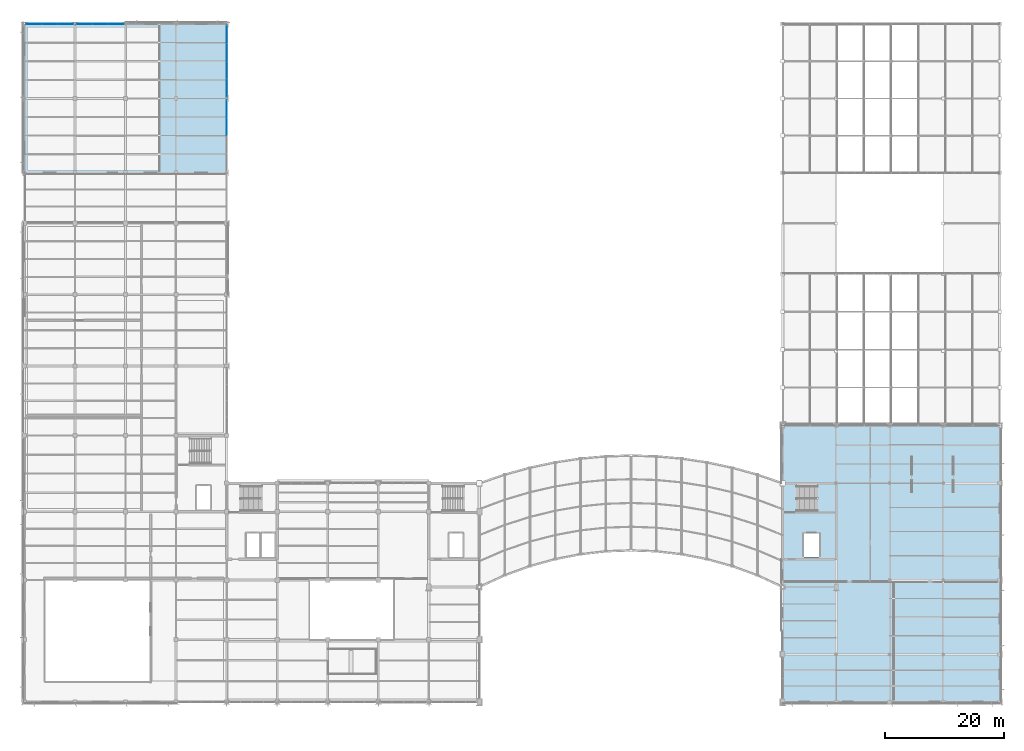
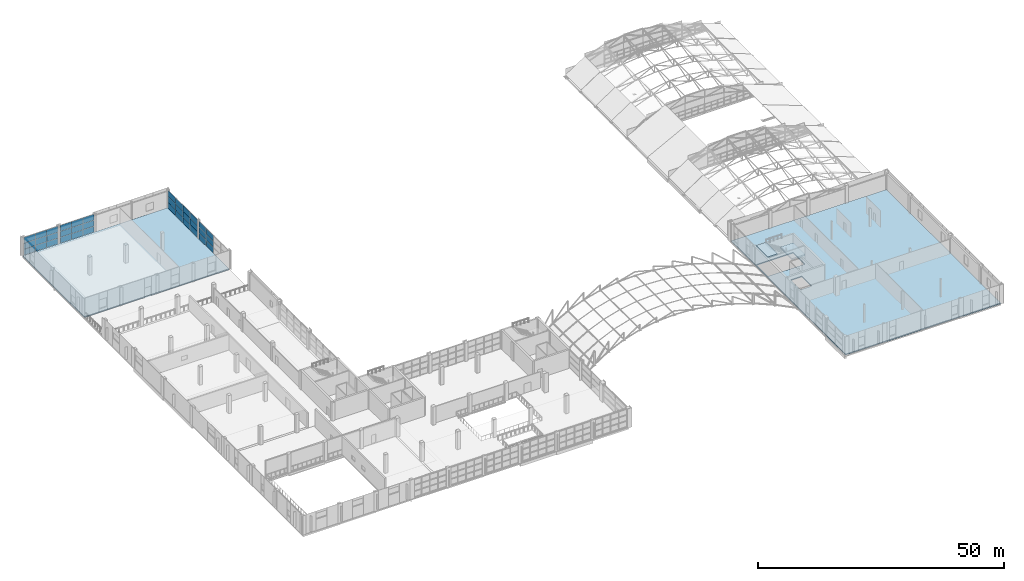
# One storey, part 79 of 101: 36 plates, 4 slabs, 5 elements without a shape of their own.
"""IFC4 building model written with IfcOpenShell, lengths in metres."""

import ifcopenshell
import ifcopenshell.guid

model = None  # the IFC model being written
_history = None  # IfcOwnerHistory: only IFC2X3 demands one
_inside = {}  # id of a spatial element -> (the spatial element, [elements in it])
_under = {}  # id of a project, library or spatial element -> (it, [spatial elements below it])
_declared = {}  # id of a project -> (the project, [libraries it declares])
_typed = {}  # id of a type object -> (the type object, [elements of that type])
_made_of = {}  # id of a material, layer set ... -> (it, [elements and type objects made of it])


def new_model(schema):
    """Start an empty IFC model of exactly this schema.

    Asked for "IFC4X3", IfcOpenShell would pick the latest addendum, in which some entities
    have other attributes; the version numbers below select the first issue.
    IFC2X3 requires an IfcOwnerHistory on every rooted entity: one is made here for all.
    """
    global model, _history
    if schema == "IFC4X3":
        model = ifcopenshell.file(schema_version=(4, 3, 0, 0))
    else:
        model = ifcopenshell.file(schema=schema)
    _inside.clear()
    _under.clear()
    _declared.clear()
    _typed.clear()
    _made_of.clear()
    _history = None
    if model.schema == "IFC2X3":
        org = make("IfcOrganization", Name="unknown")
        user = make(
            "IfcPersonAndOrganization",
            ThePerson=make("IfcPerson", FamilyName="unknown"),
            TheOrganization=org,
        )
        app = make(
            "IfcApplication",
            ApplicationDeveloper=org,
            Version="unknown",
            ApplicationFullName="unknown",
            ApplicationIdentifier="unknown",
        )
        _history = make(
            "IfcOwnerHistory",
            OwningUser=user,
            OwningApplication=app,
            ChangeAction="ADDED",
            CreationDate=0,
        )
    return model


def make(cls, **values):
    """One entity of the class cls with the attributes given. An attribute that is None is left unset."""
    return model.create_entity(
        cls, **{name: value for name, value in values.items() if value is not None}
    )


def rooted(cls, **values):
    """An entity with a GlobalId (a new one), such as an element, a storey or a relation."""
    return make(cls, GlobalId=ifcopenshell.guid.new(), OwnerHistory=_history, **values)


def si_unit(unit_type, name, prefix=None):
    """IfcSIUnit, for example si_unit("LENGTHUNIT", "METRE", prefix="MILLI")."""
    return make("IfcSIUnit", UnitType=unit_type, Prefix=prefix, Name=name)


def assignment(units):
    """IfcUnitAssignment: the units of a project."""
    return None if units is None else make("IfcUnitAssignment", Units=units)


def point(xyz):
    """IfcCartesianPoint."""
    return None if xyz is None else make("IfcCartesianPoint", Coordinates=xyz)


def direction(xyz):
    """IfcDirection."""
    return None if xyz is None else make("IfcDirection", DirectionRatios=xyz)


def frame(location, z_axis=None, x_axis=None):
    """IfcAxis2Placement3D, a coordinate frame: its origin and axes. An axis left out is left unset."""
    return make(
        "IfcAxis2Placement3D",
        Location=point(location),
        Axis=direction(z_axis),
        RefDirection=direction(x_axis),
    )


def frame_2d(location, x_axis=None):
    """IfcAxis2Placement2D, a coordinate frame in the plane: its origin and x axis."""
    return make(
        "IfcAxis2Placement2D", Location=point(location), RefDirection=direction(x_axis)
    )


def origin():
    """The frame at (0, 0, 0) with its axes left unset."""
    return frame((0.0, 0.0, 0.0))


def origin_2d():
    """The frame at (0, 0) in the plane with its x axis left unset."""
    return frame_2d((0.0, 0.0))


def place(relative_to, where):
    """IfcLocalPlacement: puts the frame where relative to a parent placement (None: the world)."""
    return make(
        "IfcLocalPlacement", PlacementRelTo=relative_to, RelativePlacement=where
    )


def context(
    kind, dimensions, precision=None, world=None, true_north=None, identifier=None
):
    """IfcGeometricRepresentationContext, for example the 3D "Model" context."""
    return make(
        "IfcGeometricRepresentationContext",
        ContextIdentifier=identifier,
        ContextType=kind,
        CoordinateSpaceDimension=dimensions,
        Precision=precision,
        WorldCoordinateSystem=world,
        TrueNorth=true_north,
    )


def subcontext(parent, identifier, kind, view, scale=None):
    """IfcGeometricRepresentationSubContext, for example "Body" below "Model"."""
    return make(
        "IfcGeometricRepresentationSubContext",
        ContextIdentifier=identifier,
        ContextType=kind,
        ParentContext=parent,
        TargetScale=scale,
        TargetView=view,
    )


def project(units=None, contexts=None):
    """IfcProject with its units and contexts."""
    return rooted(
        "IfcProject",
        Name="project",
        RepresentationContexts=contexts,
        UnitsInContext=assignment(units),
    )


def spatial(cls, under=None, at=None, **own):
    """A site, building, storey or space (cls), placed at a placement, below another one or the project."""
    s = rooted(cls, ObjectPlacement=at, **own)
    if under is not None:
        _under.setdefault(under.id(), (under, []))[1].append(s)
    return s


def polyline(points):
    """IfcPolyline through the points."""
    return make("IfcPolyline", Points=[point(p) for p in points])


def profile(cls, at=None, kind="AREA", **sizes):
    """A parametric profile (cls). Its sizes go by their IFC names, for example OverallWidth=200.0."""
    return make(cls, ProfileType=kind, Position=at, **sizes)


def rectangle(**sizes):
    """IfcRectangleProfileDef."""
    return profile("IfcRectangleProfileDef", **sizes)


def outline(outer, holes=None, kind="AREA"):
    """IfcArbitraryClosedProfileDef: a profile drawn as a closed curve; with holes, ...WithVoids."""
    if holes is None:
        return make("IfcArbitraryClosedProfileDef", ProfileType=kind, OuterCurve=outer)
    return make(
        "IfcArbitraryProfileDefWithVoids",
        ProfileType=kind,
        OuterCurve=outer,
        InnerCurves=holes,
    )


def extrude(swept, where, along, depth):
    """IfcExtrudedAreaSolid: the profile swept, set in the frame where, extruded along a direction by depth."""
    return make(
        "IfcExtrudedAreaSolid",
        SweptArea=swept,
        Position=where,
        ExtrudedDirection=direction(along),
        Depth=depth,
    )


def shape(context_of_items, identifier, shape_type, items):
    """IfcShapeRepresentation: the items that make up one representation, for example the "Body"."""
    return make(
        "IfcShapeRepresentation",
        ContextOfItems=context_of_items,
        RepresentationIdentifier=identifier,
        RepresentationType=shape_type,
        Items=items,
    )


def material(Name=None, Category=None):
    """IfcMaterial."""
    return make("IfcMaterial", Name=Name, Category=Category)


def layer(
    of_material, thickness, ventilated=None, Name=None, Category=None, Priority=None
):
    """IfcMaterialLayer: one layer of a wall or slab, of a material (None: an air gap)."""
    return make(
        "IfcMaterialLayer",
        Material=of_material,
        LayerThickness=thickness,
        IsVentilated=ventilated,
        Name=Name,
        Category=Category,
        Priority=Priority,
    )


def layer_set(layers, Name=None):
    """IfcMaterialLayerSet."""
    return make("IfcMaterialLayerSet", MaterialLayers=layers, LayerSetName=Name)


def made_of(thing, what):
    """Note that an element or type object is made of a material, layer set ...; save() writes the relation."""
    if what is not None:
        _made_of.setdefault(what.id(), (what, []))[1].append(thing)
    return thing


def type_object(cls, material=None, **own):
    """A type object (cls), such as IfcWallType, which elements share."""
    return made_of(rooted(cls, **own), material)


def element(
    cls,
    number,
    at=None,
    inside=None,
    cuts=None,
    type_object=None,
    material=None,
    context=None,
    identifier="Body",
    shape_type=None,
    held_by="IfcProductDefinitionShape",
    body=None,
    shapes=None,
    **own,
):
    """One element of the class cls, such as IfcWall. Its Tag is "e" and its number.

    at: its placement. inside: the storey or other place that contains it. cuts: it is an
    opening in that element (IfcRelVoidsElement). A single representation is given by context,
    identifier, shape_type and body (its items); several are given by shapes. held_by: the class
    of the entity that holds the representations. save() writes the other relations.
    """
    e = rooted(cls, Tag="e%d" % number, ObjectPlacement=at, **own)
    if body is not None:
        shapes = [shape(context, identifier, shape_type, body)]
    if shapes is not None:
        e.Representation = make(held_by, Representations=shapes)
    if inside is not None:
        _inside.setdefault(inside.id(), (inside, []))[1].append(e)
    if cuts is not None:
        rooted(
            "IfcRelVoidsElement", RelatingBuildingElement=cuts, RelatedOpeningElement=e
        )
    if type_object is not None:
        _typed.setdefault(type_object.id(), (type_object, []))[1].append(e)
    return made_of(e, material)


def aggregate(whole, parts):
    """IfcRelAggregates: a whole, such as a stair, and the parts it consists of."""
    return rooted("IfcRelAggregates", RelatingObject=whole, RelatedObjects=parts)


def save(model, path):
    """Write the relations noted so far, then the file.

    IfcRelAggregates (storeys below a building ...), IfcRelContainedInSpatialStructure (elements
    in a storey), IfcRelDefinesByType, IfcRelAssociatesMaterial and IfcRelDeclares: one each for
    every whole, place, type object, material and project.
    """
    for whole, parts in _under.values():
        aggregate(whole, parts)
    for where, things in _inside.values():
        rooted(
            "IfcRelContainedInSpatialStructure",
            RelatedElements=things,
            RelatingStructure=where,
        )
    for kind, things in _typed.values():
        rooted("IfcRelDefinesByType", RelatedObjects=things, RelatingType=kind)
    for what, things in _made_of.values():
        rooted("IfcRelAssociatesMaterial", RelatedObjects=things, RelatingMaterial=what)
    for by, libraries in _declared.values():
        rooted("IfcRelDeclares", RelatingContext=by, RelatedDefinitions=libraries)
    model.write(path)


model = new_model("IFC4")

# Units and contexts
model_context = context("Model", 3, precision=1e-05, world=origin(), true_north=direction((0.0, 1.0)))
body_context = subcontext(model_context, "Body", "Model", "MODEL_VIEW")
ifc_project = project(units=[si_unit("LENGTHUNIT", "METRE"), si_unit("AREAUNIT", "SQUARE_METRE"), si_unit("VOLUMEUNIT", "CUBIC_METRE"), si_unit("PLANEANGLEUNIT", "RADIAN"), si_unit("MASSUNIT", "GRAM", prefix="KILO")], contexts=[model_context])

# Site, building, storey
site_placement = place(None, origin())
site = spatial("IfcSite", under=ifc_project, at=site_placement, CompositionType="ELEMENT")
building_placement = place(site_placement, origin())
building = spatial("IfcBuilding", under=site, at=building_placement, Name="Solvikara Media Centre", CompositionType="ELEMENT")
storey_placement = place(building_placement, frame((0.0, 0.0, 10.199951171875)))
storey = spatial("IfcBuildingStorey", under=building, at=storey_placement, Name="L02", CompositionType="ELEMENT", Elevation=10.199951171875)

# Curtain wall, plates
ifc_material_1 = material(Name="Anodised aluminium EN AW-6063", Category="aluminium")
curtain_wall_type = type_object("IfcCurtainWallType", Name="CW-08", PredefinedType="NOTDEFINED", material=ifc_material_1)
curtain_wall_1_placement = place(storey_placement, origin())
curtain_wall_1 = element("IfcCurtainWall", 1, at=curtain_wall_1_placement, inside=storey, type_object=curtain_wall_type, Name="CW-L02-V3N-S1", PredefinedType="NOTDEFINED")
ifc_material_2 = material(Name="Insulated silver-pearl glass spandrel panel", Category="glass")
ifc_layer_1 = layer(ifc_material_2, 0.054931640625)
ifc_layer_set_1 = layer_set([ifc_layer_1], Name="Insulated silver-pearl glass spandrel panel")
plate_type_1 = type_object("IfcPlateType", Name="PN-11", PredefinedType="CURTAIN_PANEL", material=ifc_layer_set_1)
plate_1_placement = place(storey_placement, frame((1.595947265625, 114.0, 1.521484375), z_axis=(0.0, 0.0, 1.0), x_axis=(1.0, 0.0, 0.0)))
plate_1 = element("IfcPlate", 2, at=plate_1_placement, type_object=plate_type_1, Name="CW-L02-V3N-S1-P0001", PredefinedType="CURTAIN_PANEL", context=body_context, shape_type="SweptSolid", body=[
    extrude(rectangle(XDim=2.6240234375, YDim=0.054931640625, at=origin_2d()), origin(), (0.0, 0.0, 1.0), 1.45703125),
])
plate_2_placement = place(storey_placement, frame((4.25, 114.0, 0.034423828125), z_axis=(0.0, 0.0, 1.0), x_axis=(1.0, 0.0, 0.0)))
plate_2 = element("IfcPlate", 3, at=plate_2_placement, type_object=plate_type_1, Name="CW-L02-V3N-S1-P0100", PredefinedType="CURTAIN_PANEL", context=body_context, shape_type="SweptSolid", body=[
    extrude(rectangle(XDim=2.6240234375, YDim=0.054931640625, at=origin_2d()), origin(), (0.0, 0.0, 1.0), 1.45703125),
])
plate_3_placement = place(storey_placement, frame((4.25, 114.0, 3.008544921875), z_axis=(0.0, 0.0, 1.0), x_axis=(1.0, 0.0, 0.0)))
plate_3 = element("IfcPlate", 4, at=plate_3_placement, type_object=plate_type_1, Name="CW-L02-V3N-S1-P0102", PredefinedType="CURTAIN_PANEL", context=body_context, shape_type="SweptSolid", body=[
    extrude(rectangle(XDim=2.6240234375, YDim=0.054931640625, at=origin_2d()), origin(), (0.0, 0.0, 1.0), 1.45703125),
])
plate_4_placement = place(storey_placement, frame((6.905029296875, 114.0, 1.521484375), z_axis=(0.0, 0.0, 1.0), x_axis=(1.0, 0.0, 0.0)))
plate_4 = element("IfcPlate", 5, at=plate_4_placement, type_object=plate_type_1, Name="CW-L02-V3N-S1-P0201", PredefinedType="CURTAIN_PANEL", context=body_context, shape_type="SweptSolid", body=[
    extrude(rectangle(XDim=2.6240234375, YDim=0.054931640625, at=origin_2d()), origin(), (0.0, 0.0, 1.0), 1.45703125),
])

curtain_wall_2_placement = place(storey_placement, origin())
curtain_wall_2 = element("IfcCurtainWall", 6, at=curtain_wall_2_placement, inside=storey, type_object=curtain_wall_type, Name="CW-L02-V3N-S2", PredefinedType="NOTDEFINED")
plate_5_placement = place(storey_placement, frame((10.094970703125, 114.0, 1.521484375), z_axis=(0.0, 0.0, 1.0), x_axis=(1.0, 0.0, 0.0)))
plate_5 = element("IfcPlate", 7, at=plate_5_placement, type_object=plate_type_1, Name="CW-L02-V3N-S2-P0001", PredefinedType="CURTAIN_PANEL", context=body_context, shape_type="SweptSolid", body=[
    extrude(rectangle(XDim=2.625, YDim=0.054931640625, at=origin_2d()), origin(), (0.0, 0.0, 1.0), 1.45703125),
])
plate_6_placement = place(storey_placement, frame((12.75, 114.0, 0.034423828125), z_axis=(0.0, 0.0, 1.0), x_axis=(1.0, 0.0, 0.0)))
plate_6 = element("IfcPlate", 8, at=plate_6_placement, type_object=plate_type_1, Name="CW-L02-V3N-S2-P0100", PredefinedType="CURTAIN_PANEL", context=body_context, shape_type="SweptSolid", body=[
    extrude(rectangle(XDim=2.625, YDim=0.054931640625, at=origin_2d()), origin(), (0.0, 0.0, 1.0), 1.45703125),
])
plate_7_placement = place(storey_placement, frame((12.75, 114.0, 3.008544921875), z_axis=(0.0, 0.0, 1.0), x_axis=(1.0, 0.0, 0.0)))
plate_7 = element("IfcPlate", 9, at=plate_7_placement, type_object=plate_type_1, Name="CW-L02-V3N-S2-P0102", PredefinedType="CURTAIN_PANEL", context=body_context, shape_type="SweptSolid", body=[
    extrude(rectangle(XDim=2.625, YDim=0.054931640625, at=origin_2d()), origin(), (0.0, 0.0, 1.0), 1.45703125),
])
plate_8_placement = place(storey_placement, frame((15.405029296875, 114.0, 1.521484375), z_axis=(0.0, 0.0, 1.0), x_axis=(1.0, 0.0, 0.0)))
plate_8 = element("IfcPlate", 10, at=plate_8_placement, type_object=plate_type_1, Name="CW-L02-V3N-S2-P0201", PredefinedType="CURTAIN_PANEL", context=body_context, shape_type="SweptSolid", body=[
    extrude(rectangle(XDim=2.625, YDim=0.054931640625, at=origin_2d()), origin(), (0.0, 0.0, 1.0), 1.45703125),
])

curtain_wall_3_placement = place(storey_placement, origin())
curtain_wall_3 = element("IfcCurtainWall", 11, at=curtain_wall_3_placement, inside=storey, type_object=curtain_wall_type, Name="CW-L02-V3E-S1", PredefinedType="NOTDEFINED")
plate_9_placement = place(storey_placement, frame((34.0, 96.7451171875, 1.521484375), z_axis=(0.0, 0.0, 1.0), x_axis=(0.0, 1.0, 0.0)))
plate_9 = element("IfcPlate", 12, at=plate_9_placement, type_object=plate_type_1, Name="CW-L02-V3E-S1-P0201", PredefinedType="CURTAIN_PANEL", context=body_context, shape_type="SweptSolid", body=[
    extrude(rectangle(XDim=2.9599609375, YDim=0.054931640625, at=origin_2d()), origin(), (0.0, 0.0, 1.0), 1.45703125),
])
plate_10_placement = place(storey_placement, frame((34.0, 99.736083984375, 0.034423828125), z_axis=(0.0, 0.0, 1.0), x_axis=(0.0, 1.0, 0.0)))
plate_10 = element("IfcPlate", 13, at=plate_10_placement, type_object=plate_type_1, Name="CW-L02-V3E-S1-P0300", PredefinedType="CURTAIN_PANEL", context=body_context, shape_type="SweptSolid", body=[
    extrude(rectangle(XDim=2.9599609375, YDim=0.054931640625, at=origin_2d()), origin(), (0.0, 0.0, 1.0), 1.45703125),
])
plate_11_placement = place(storey_placement, frame((34.0, 99.736083984375, 3.008544921875), z_axis=(0.0, 0.0, 1.0), x_axis=(0.0, 1.0, 0.0)))
plate_11 = element("IfcPlate", 14, at=plate_11_placement, type_object=plate_type_1, Name="CW-L02-V3E-S1-P0302", PredefinedType="CURTAIN_PANEL", context=body_context, shape_type="SweptSolid", body=[
    extrude(rectangle(XDim=2.9599609375, YDim=0.054931640625, at=origin_2d()), origin(), (0.0, 0.0, 1.0), 1.45703125),
])

curtain_wall_4_placement = place(storey_placement, origin())
curtain_wall_4 = element("IfcCurtainWall", 15, at=curtain_wall_4_placement, inside=storey, type_object=curtain_wall_type, Name="CW-L02-V3E-S2", PredefinedType="NOTDEFINED")
plate_12_placement = place(storey_placement, frame((34.0, 103.263916015625, 1.521484375), z_axis=(0.0, 0.0, 1.0), x_axis=(0.0, 1.0, 0.0)))
plate_12 = element("IfcPlate", 16, at=plate_12_placement, type_object=plate_type_1, Name="CW-L02-V3E-S2-P0001", PredefinedType="CURTAIN_PANEL", context=body_context, shape_type="SweptSolid", body=[
    extrude(rectangle(XDim=2.9599609375, YDim=0.054931640625, at=origin_2d()), origin(), (0.0, 0.0, 1.0), 1.45703125),
])
plate_13_placement = place(storey_placement, frame((34.0, 106.2548828125, 0.034423828125), z_axis=(0.0, 0.0, 1.0), x_axis=(0.0, 1.0, 0.0)))
plate_13 = element("IfcPlate", 17, at=plate_13_placement, type_object=plate_type_1, Name="CW-L02-V3E-S2-P0100", PredefinedType="CURTAIN_PANEL", context=body_context, shape_type="SweptSolid", body=[
    extrude(rectangle(XDim=2.9599609375, YDim=0.054931640625, at=origin_2d()), origin(), (0.0, 0.0, 1.0), 1.45703125),
])
plate_14_placement = place(storey_placement, frame((34.0, 106.2548828125, 3.008544921875), z_axis=(0.0, 0.0, 1.0), x_axis=(0.0, 1.0, 0.0)))
plate_14 = element("IfcPlate", 18, at=plate_14_placement, type_object=plate_type_1, Name="CW-L02-V3E-S2-P0102", PredefinedType="CURTAIN_PANEL", context=body_context, shape_type="SweptSolid", body=[
    extrude(rectangle(XDim=2.9599609375, YDim=0.054931640625, at=origin_2d()), origin(), (0.0, 0.0, 1.0), 1.45703125),
])
plate_15_placement = place(storey_placement, frame((34.0, 109.2451171875, 1.521484375), z_axis=(0.0, 0.0, 1.0), x_axis=(0.0, 1.0, 0.0)))
plate_15 = element("IfcPlate", 19, at=plate_15_placement, type_object=plate_type_1, Name="CW-L02-V3E-S2-P0201", PredefinedType="CURTAIN_PANEL", context=body_context, shape_type="SweptSolid", body=[
    extrude(rectangle(XDim=2.9599609375, YDim=0.054931640625, at=origin_2d()), origin(), (0.0, 0.0, 1.0), 1.45703125),
])
plate_16_placement = place(storey_placement, frame((34.0, 112.236083984375, 0.034423828125), z_axis=(0.0, 0.0, 1.0), x_axis=(0.0, 1.0, 0.0)))
plate_16 = element("IfcPlate", 20, at=plate_16_placement, type_object=plate_type_1, Name="CW-L02-V3E-S2-P0300", PredefinedType="CURTAIN_PANEL", context=body_context, shape_type="SweptSolid", body=[
    extrude(rectangle(XDim=2.9599609375, YDim=0.054931640625, at=origin_2d()), origin(), (0.0, 0.0, 1.0), 1.45703125),
])
plate_17_placement = place(storey_placement, frame((34.0, 112.236083984375, 3.008544921875), z_axis=(0.0, 0.0, 1.0), x_axis=(0.0, 1.0, 0.0)))
plate_17 = element("IfcPlate", 21, at=plate_17_placement, type_object=plate_type_1, Name="CW-L02-V3E-S2-P0302", PredefinedType="CURTAIN_PANEL", context=body_context, shape_type="SweptSolid", body=[
    extrude(rectangle(XDim=2.9599609375, YDim=0.054931640625, at=origin_2d()), origin(), (0.0, 0.0, 1.0), 1.45703125),
])

# Plate
ifc_material_3 = material(Name="Laminated solar-control cyan vision glass", Category="glass")
ifc_layer_2 = layer(ifc_material_3, 0.035888671875)
ifc_layer_set_2 = layer_set([ifc_layer_2], Name="Laminated solar-control cyan vision glass")
plate_type_2 = type_object("IfcPlateType", Name="PN-13", PredefinedType="CURTAIN_PANEL", material=ifc_layer_set_2)
plate_18_placement = place(storey_placement, frame((1.595947265625, 114.0, 0.034423828125), z_axis=(0.0, 0.0, 1.0), x_axis=(1.0, 0.0, 0.0)))
plate_18 = element("IfcPlate", 22, at=plate_18_placement, type_object=plate_type_2, Name="CW-L02-V3N-S1-P0000", PredefinedType="CURTAIN_PANEL", context=body_context, shape_type="SweptSolid", body=[
    extrude(rectangle(XDim=2.6240234375, YDim=0.035888671875, at=origin_2d()), origin(), (0.0, 0.0, 1.0), 1.45703125),
])

plate_19_placement = place(storey_placement, frame((1.595947265625, 114.0, 3.008544921875), z_axis=(0.0, 0.0, 1.0), x_axis=(1.0, 0.0, 0.0)))
plate_19 = element("IfcPlate", 23, at=plate_19_placement, type_object=plate_type_2, Name="CW-L02-V3N-S1-P0002", PredefinedType="CURTAIN_PANEL", context=body_context, shape_type="SweptSolid", body=[
    extrude(rectangle(XDim=2.6240234375, YDim=0.035888671875, at=origin_2d()), origin(), (0.0, 0.0, 1.0), 1.45703125),
])

plate_20_placement = place(storey_placement, frame((4.25, 114.0, 1.521484375), z_axis=(0.0, 0.0, 1.0), x_axis=(1.0, 0.0, 0.0)))
plate_20 = element("IfcPlate", 24, at=plate_20_placement, type_object=plate_type_2, Name="CW-L02-V3N-S1-P0101", PredefinedType="CURTAIN_PANEL", context=body_context, shape_type="SweptSolid", body=[
    extrude(rectangle(XDim=2.6240234375, YDim=0.035888671875, at=origin_2d()), origin(), (0.0, 0.0, 1.0), 1.45703125),
])

plate_21_placement = place(storey_placement, frame((6.905029296875, 114.0, 0.034423828125), z_axis=(0.0, 0.0, 1.0), x_axis=(1.0, 0.0, 0.0)))
plate_21 = element("IfcPlate", 25, at=plate_21_placement, type_object=plate_type_2, Name="CW-L02-V3N-S1-P0200", PredefinedType="CURTAIN_PANEL", context=body_context, shape_type="SweptSolid", body=[
    extrude(rectangle(XDim=2.6240234375, YDim=0.035888671875, at=origin_2d()), origin(), (0.0, 0.0, 1.0), 1.45703125),
])

plate_22_placement = place(storey_placement, frame((6.905029296875, 114.0, 3.008544921875), z_axis=(0.0, 0.0, 1.0), x_axis=(1.0, 0.0, 0.0)))
plate_22 = element("IfcPlate", 26, at=plate_22_placement, type_object=plate_type_2, Name="CW-L02-V3N-S1-P0202", PredefinedType="CURTAIN_PANEL", context=body_context, shape_type="SweptSolid", body=[
    extrude(rectangle(XDim=2.6240234375, YDim=0.035888671875, at=origin_2d()), origin(), (0.0, 0.0, 1.0), 1.45703125),
])

aggregate(curtain_wall_1, [plate_18, plate_1, plate_19, plate_2, plate_20, plate_3, plate_21, plate_4, plate_22])

plate_23_placement = place(storey_placement, frame((10.094970703125, 114.0, 0.034423828125), z_axis=(0.0, 0.0, 1.0), x_axis=(1.0, 0.0, 0.0)))
plate_23 = element("IfcPlate", 27, at=plate_23_placement, type_object=plate_type_2, Name="CW-L02-V3N-S2-P0000", PredefinedType="CURTAIN_PANEL", context=body_context, shape_type="SweptSolid", body=[
    extrude(rectangle(XDim=2.625, YDim=0.035888671875, at=origin_2d()), origin(), (0.0, 0.0, 1.0), 1.45703125),
])

plate_24_placement = place(storey_placement, frame((10.094970703125, 114.0, 3.008544921875), z_axis=(0.0, 0.0, 1.0), x_axis=(1.0, 0.0, 0.0)))
plate_24 = element("IfcPlate", 28, at=plate_24_placement, type_object=plate_type_2, Name="CW-L02-V3N-S2-P0002", PredefinedType="CURTAIN_PANEL", context=body_context, shape_type="SweptSolid", body=[
    extrude(rectangle(XDim=2.625, YDim=0.035888671875, at=origin_2d()), origin(), (0.0, 0.0, 1.0), 1.45703125),
])

plate_25_placement = place(storey_placement, frame((12.75, 114.0, 1.521484375), z_axis=(0.0, 0.0, 1.0), x_axis=(1.0, 0.0, 0.0)))
plate_25 = element("IfcPlate", 29, at=plate_25_placement, type_object=plate_type_2, Name="CW-L02-V3N-S2-P0101", PredefinedType="CURTAIN_PANEL", context=body_context, shape_type="SweptSolid", body=[
    extrude(rectangle(XDim=2.625, YDim=0.035888671875, at=origin_2d()), origin(), (0.0, 0.0, 1.0), 1.45703125),
])

plate_26_placement = place(storey_placement, frame((15.405029296875, 114.0, 0.034423828125), z_axis=(0.0, 0.0, 1.0), x_axis=(1.0, 0.0, 0.0)))
plate_26 = element("IfcPlate", 30, at=plate_26_placement, type_object=plate_type_2, Name="CW-L02-V3N-S2-P0200", PredefinedType="CURTAIN_PANEL", context=body_context, shape_type="SweptSolid", body=[
    extrude(rectangle(XDim=2.625, YDim=0.035888671875, at=origin_2d()), origin(), (0.0, 0.0, 1.0), 1.45703125),
])

plate_27_placement = place(storey_placement, frame((15.405029296875, 114.0, 3.008544921875), z_axis=(0.0, 0.0, 1.0), x_axis=(1.0, 0.0, 0.0)))
plate_27 = element("IfcPlate", 31, at=plate_27_placement, type_object=plate_type_2, Name="CW-L02-V3N-S2-P0202", PredefinedType="CURTAIN_PANEL", context=body_context, shape_type="SweptSolid", body=[
    extrude(rectangle(XDim=2.625, YDim=0.035888671875, at=origin_2d()), origin(), (0.0, 0.0, 1.0), 1.45703125),
])

aggregate(curtain_wall_2, [plate_23, plate_5, plate_24, plate_6, plate_25, plate_7, plate_26, plate_8, plate_27])

plate_28_placement = place(storey_placement, frame((34.0, 96.7451171875, 0.034423828125), z_axis=(0.0, 0.0, 1.0), x_axis=(0.0, 1.0, 0.0)))
plate_28 = element("IfcPlate", 32, at=plate_28_placement, type_object=plate_type_2, Name="CW-L02-V3E-S1-P0200", PredefinedType="CURTAIN_PANEL", context=body_context, shape_type="SweptSolid", body=[
    extrude(rectangle(XDim=2.9599609375, YDim=0.035888671875, at=origin_2d()), origin(), (0.0, 0.0, 1.0), 1.45703125),
])

plate_29_placement = place(storey_placement, frame((34.0, 96.7451171875, 3.008544921875), z_axis=(0.0, 0.0, 1.0), x_axis=(0.0, 1.0, 0.0)))
plate_29 = element("IfcPlate", 33, at=plate_29_placement, type_object=plate_type_2, Name="CW-L02-V3E-S1-P0202", PredefinedType="CURTAIN_PANEL", context=body_context, shape_type="SweptSolid", body=[
    extrude(rectangle(XDim=2.9599609375, YDim=0.035888671875, at=origin_2d()), origin(), (0.0, 0.0, 1.0), 1.45703125),
])

plate_30_placement = place(storey_placement, frame((34.0, 99.736083984375, 1.521484375), z_axis=(0.0, 0.0, 1.0), x_axis=(0.0, 1.0, 0.0)))
plate_30 = element("IfcPlate", 34, at=plate_30_placement, type_object=plate_type_2, Name="CW-L02-V3E-S1-P0301", PredefinedType="CURTAIN_PANEL", context=body_context, shape_type="SweptSolid", body=[
    extrude(rectangle(XDim=2.9599609375, YDim=0.035888671875, at=origin_2d()), origin(), (0.0, 0.0, 1.0), 1.45703125),
])

aggregate(curtain_wall_3, [plate_28, plate_9, plate_29, plate_10, plate_30, plate_11])

plate_31_placement = place(storey_placement, frame((34.0, 103.263916015625, 0.034423828125), z_axis=(0.0, 0.0, 1.0), x_axis=(0.0, 1.0, 0.0)))
plate_31 = element("IfcPlate", 35, at=plate_31_placement, type_object=plate_type_2, Name="CW-L02-V3E-S2-P0000", PredefinedType="CURTAIN_PANEL", context=body_context, shape_type="SweptSolid", body=[
    extrude(rectangle(XDim=2.9599609375, YDim=0.035888671875, at=origin_2d()), origin(), (0.0, 0.0, 1.0), 1.45703125),
])

plate_32_placement = place(storey_placement, frame((34.0, 103.263916015625, 3.008544921875), z_axis=(0.0, 0.0, 1.0), x_axis=(0.0, 1.0, 0.0)))
plate_32 = element("IfcPlate", 36, at=plate_32_placement, type_object=plate_type_2, Name="CW-L02-V3E-S2-P0002", PredefinedType="CURTAIN_PANEL", context=body_context, shape_type="SweptSolid", body=[
    extrude(rectangle(XDim=2.9599609375, YDim=0.035888671875, at=origin_2d()), origin(), (0.0, 0.0, 1.0), 1.45703125),
])

plate_33_placement = place(storey_placement, frame((34.0, 106.2548828125, 1.521484375), z_axis=(0.0, 0.0, 1.0), x_axis=(0.0, 1.0, 0.0)))
plate_33 = element("IfcPlate", 37, at=plate_33_placement, type_object=plate_type_2, Name="CW-L02-V3E-S2-P0101", PredefinedType="CURTAIN_PANEL", context=body_context, shape_type="SweptSolid", body=[
    extrude(rectangle(XDim=2.9599609375, YDim=0.035888671875, at=origin_2d()), origin(), (0.0, 0.0, 1.0), 1.45703125),
])

plate_34_placement = place(storey_placement, frame((34.0, 109.2451171875, 0.034423828125), z_axis=(0.0, 0.0, 1.0), x_axis=(0.0, 1.0, 0.0)))
plate_34 = element("IfcPlate", 38, at=plate_34_placement, type_object=plate_type_2, Name="CW-L02-V3E-S2-P0200", PredefinedType="CURTAIN_PANEL", context=body_context, shape_type="SweptSolid", body=[
    extrude(rectangle(XDim=2.9599609375, YDim=0.035888671875, at=origin_2d()), origin(), (0.0, 0.0, 1.0), 1.45703125),
])

plate_35_placement = place(storey_placement, frame((34.0, 109.2451171875, 3.008544921875), z_axis=(0.0, 0.0, 1.0), x_axis=(0.0, 1.0, 0.0)))
plate_35 = element("IfcPlate", 39, at=plate_35_placement, type_object=plate_type_2, Name="CW-L02-V3E-S2-P0202", PredefinedType="CURTAIN_PANEL", context=body_context, shape_type="SweptSolid", body=[
    extrude(rectangle(XDim=2.9599609375, YDim=0.035888671875, at=origin_2d()), origin(), (0.0, 0.0, 1.0), 1.45703125),
])

plate_36_placement = place(storey_placement, frame((34.0, 112.236083984375, 1.521484375), z_axis=(0.0, 0.0, 1.0), x_axis=(0.0, 1.0, 0.0)))
plate_36 = element("IfcPlate", 40, at=plate_36_placement, type_object=plate_type_2, Name="CW-L02-V3E-S2-P0301", PredefinedType="CURTAIN_PANEL", context=body_context, shape_type="SweptSolid", body=[
    extrude(rectangle(XDim=2.9599609375, YDim=0.035888671875, at=origin_2d()), origin(), (0.0, 0.0, 1.0), 1.45703125),
])

aggregate(curtain_wall_4, [plate_31, plate_12, plate_32, plate_13, plate_33, plate_14, plate_34, plate_15, plate_35, plate_16, plate_36, plate_17])

# Slabs
ifc_material_4 = material(Name="Concrete fc' 35 MPa (C35/45)", Category="concrete")
ifc_layer_3 = layer(ifc_material_4, 0.260009765625)
ifc_layer_set_3 = layer_set([ifc_layer_3], Name="Concrete fc' 35 MPa (C35/45)")
slab_type_1 = type_object("IfcSlabType", Name="ST-06", PredefinedType="FLOOR", material=ifc_layer_set_3)
slab_1_placement = place(storey_placement, frame((0.0, 0.0, -0.260009765625)))
element("IfcSlab", 41, at=slab_1_placement, inside=storey, type_object=slab_type_1, Name="SL-L02-V3", PredefinedType="FLOOR", context=body_context, shape_type="SweptSolid", body=[
    extrude(outline(polyline([(0.0, 89.0), (34.0, 89.0), (34.0, 114.0), (0.0, 114.0), (0.0, 89.0)])), origin(), (0.0, 0.0, 1.0), 0.260009765625),
])
ifc_layer_4 = layer(ifc_material_4, 0.239990234375)
ifc_layer_set_4 = layer_set([ifc_layer_4], Name="Concrete fc' 35 MPa (C35/45)")
slab_type_2 = type_object("IfcSlabType", Name="ST-07", PredefinedType="FLOOR", material=ifc_layer_set_4)
slab_2_placement = place(storey_placement, frame((0.0, 0.0, -0.239990234375)))
element("IfcSlab", 42, at=slab_2_placement, inside=storey, type_object=slab_type_2, Name="SL-L02-V5", PredefinedType="FLOOR", context=body_context, shape_type="SweptSolid", body=[
    extrude(outline(polyline([(127.5, 0.0), (164.0, 0.0), (164.0, 46.5), (127.5, 46.5), (127.5, 0.0)]), holes=[polyline([(127.679931640625, 31.85009765625), (136.320068359375, 31.85009765625), (136.320068359375, 36.6201171875), (127.679931640625, 36.6201171875), (127.679931640625, 31.85009765625)]), polyline([(131.050048828125, 24.39990234375), (133.64990234375, 24.39990234375), (133.64990234375, 28.449951171875), (131.050048828125, 28.449951171875), (131.050048828125, 24.39990234375)])]), origin(), (0.0, 0.0, 1.0), 0.239990234375),
])

# Stair, slabs
stair_type = type_object("IfcStairType", Name="SR-01", PredefinedType="HALF_TURN_STAIR", material=ifc_material_4)
stair_placement = place(storey_placement, origin())
stair = element("IfcStair", 43, at=stair_placement, inside=storey, type_object=stair_type, Name="ST-C4-L02", PredefinedType="HALF_TURN_STAIR")
ifc_layer_5 = layer(ifc_material_4, 0.330078125)
ifc_layer_set_5 = layer_set([ifc_layer_5], Name="Concrete fc' 35 MPa (C35/45)")
slab_type_3 = type_object("IfcSlabType", Name="ST-15", PredefinedType="LANDING", material=ifc_layer_set_5)
slab_3_placement = place(storey_placement, frame((0.0, 0.0, 2.070068359375)))
slab_3 = element("IfcSlab", 44, at=slab_3_placement, type_object=slab_type_3, Name="ST-C4-L02-LND", PredefinedType="LANDING", context=body_context, shape_type="SweptSolid", body=[
    extrude(outline(polyline([(133.300048828125, 31.85009765625), (136.3798828125, 31.85009765625), (136.3798828125, 36.6201171875), (133.300048828125, 36.6201171875), (133.300048828125, 31.85009765625)])), origin(), (0.0, 0.0, 1.0), 0.330078125),
])
slab_4_placement = place(storey_placement, frame((0.0, 0.0, 4.469970703125)))
slab_4 = element("IfcSlab", 45, at=slab_4_placement, type_object=slab_type_3, Name="ST-C4-L02-ARR", PredefinedType="LANDING", context=body_context, shape_type="SweptSolid", body=[
    extrude(outline(polyline([(127.6201171875, 31.85009765625), (129.89990234375, 31.85009765625), (129.89990234375, 36.6201171875), (127.6201171875, 36.6201171875), (127.6201171875, 31.85009765625)])), origin(), (0.0, 0.0, 1.0), 0.330078125),
])
aggregate(stair, [slab_3, slab_4])

save(model, "model.ifc")
